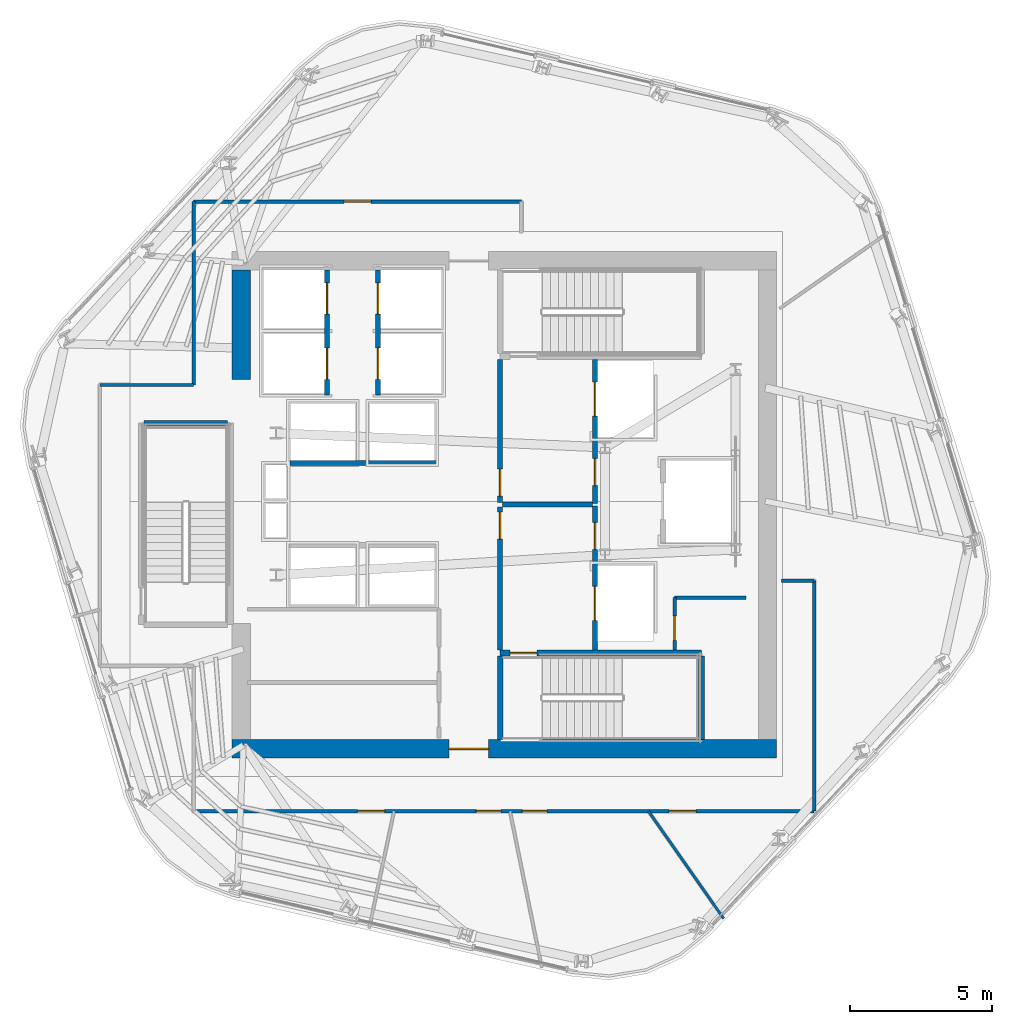
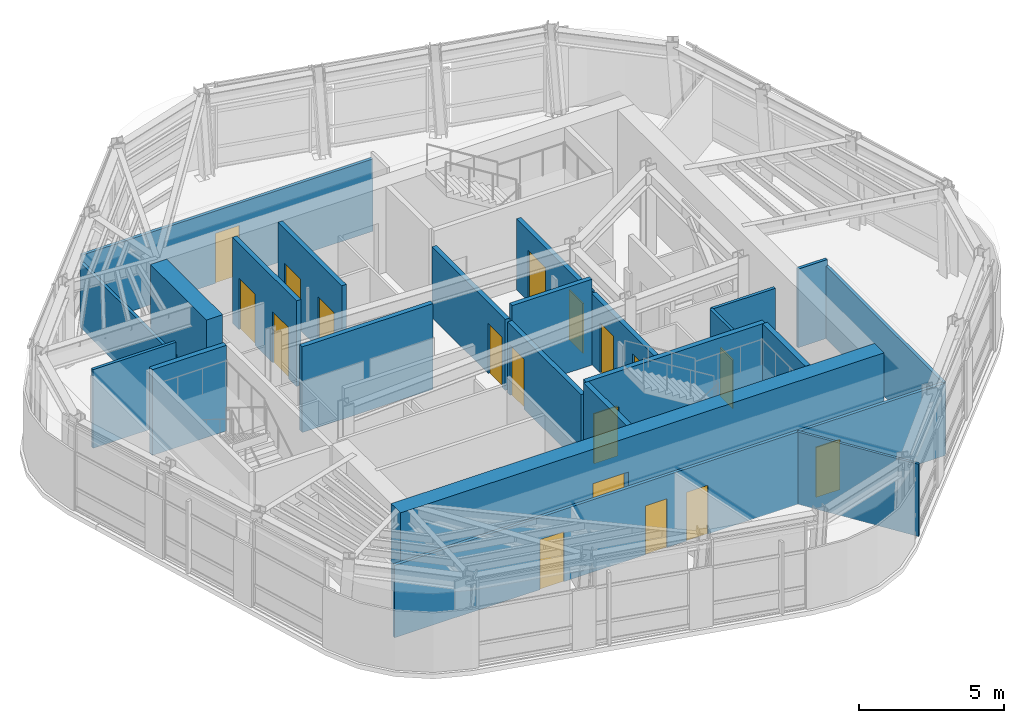
# One storey, part 7 of 13: 23 walls, 18 doors, 18 openings.
"""IFC4 building model written with IfcOpenShell, lengths in metres."""

from ifc_helpers import new_model, si_unit, direction, frame, frame_2d, origin, place, context, subcontext, project, spatial, rectangle, extrude, material, layer, layer_set, type_object, element, fill, save


model = new_model("IFC4")

# Units and contexts
model_context = context("Model", 3, precision=1e-05, world=origin(), true_north=direction((0.0, 1.0)))
body_context = subcontext(model_context, "Body", "Model", "MODEL_VIEW")
ifc_project = project(units=[si_unit("LENGTHUNIT", "METRE"), si_unit("AREAUNIT", "SQUARE_METRE"), si_unit("VOLUMEUNIT", "CUBIC_METRE"), si_unit("PLANEANGLEUNIT", "RADIAN"), si_unit("MASSUNIT", "GRAM", prefix="KILO")], contexts=[model_context])

# Site, building, storey
site_placement = place(None, origin())
site = spatial("IfcSite", under=ifc_project, at=site_placement, CompositionType="ELEMENT")
building_placement = place(site_placement, origin())
building = spatial("IfcBuilding", under=site, at=building_placement, Name="Valkerne Bourse Tower", CompositionType="ELEMENT")
storey_placement = place(building_placement, frame((0.0, 0.0, 224.60009765625)))
storey = spatial("IfcBuildingStorey", under=building, at=storey_placement, Name="L57", CompositionType="ELEMENT", Elevation=224.60009765625)

# Wall, opening, door
ifc_material_1 = material(Name="Concrete C55/67", Category="concrete")
ifc_layer_1 = layer(ifc_material_1, 0.64990234375)
ifc_layer_set_1 = layer_set([ifc_layer_1], Name="Concrete C55/67")
wall_type_1 = type_object("IfcWallType", Name="W-CORE-650", PredefinedType="SHEAR", material=ifc_layer_set_1)
wall_1_placement = place(storey_placement, frame((37.199951171875, 18.27490234375, 0.0), z_axis=(0.0, 0.0, 1.0), x_axis=(1.0, 0.0, 0.0)))
wall_1 = element("IfcWall", 1, at=wall_1_placement, inside=storey, type_object=wall_type_1, Name="L57 Core Shear Wall SOUTH", PredefinedType="SHEAR", context=body_context, shape_type="SweptSolid", body=[
    extrude(rectangle(XDim=19.199951171875, YDim=0.64990234375, at=frame_2d((9.60009765625, 0.0))), origin(), (0.0, 0.0, 1.0), 3.599853515625),
])
opening_1_placement = place(wall_1_placement, frame((7.64990234375, 0.0, 0.0)))
opening_1 = element("IfcOpeningElement", 2, at=opening_1_placement, cuts=wall_1, Name="Opening D-PL-1400", PredefinedType="OPENING", context=body_context, shape_type="SweptSolid", body=[
    extrude(rectangle(XDim=1.39990234375, YDim=2.14990234375, at=frame_2d((0.699951171875, 1.074951171875))), frame((0.0, 0.3349609375, 0.0), z_axis=(0.0, -1.0, 0.0), x_axis=(1.0, 0.0, 0.0)), (0.0, 0.0, 1.0), 0.669921875),
])
ifc_material_2 = material(Name="Galvanised Painted Steel", Category="steel")
door_type_1 = type_object("IfcDoorType", Name="DR-PLT-1400", OperationType="DOUBLE_DOOR_SINGLE_SWING", PredefinedType="DOOR", material=ifc_material_2)
door_1_placement = place(opening_1_placement, origin())
door_1 = element("IfcDoor", 3, at=door_1_placement, inside=storey, type_object=door_type_1, Name="L57 South Passenger Lift Hall Fire Door", OperationType="DOUBLE_DOOR_SINGLE_SWING", OverallHeight=2.14990234375, OverallWidth=1.39990234375, PredefinedType="DOOR", context=body_context, shape_type="SweptSolid", body=[
    extrude(rectangle(XDim=1.39990234375, YDim=2.14990234375, at=frame_2d((0.699951171875, 1.074951171875))), frame((0.0, 0.02490234375, 0.0), z_axis=(0.0, -1.0, 0.0), x_axis=(1.0, 0.0, 0.0)), (0.0, 0.0, 1.0), 0.050048828125),
])
fill(opening_1, door_1)

# Wall
wall_2_placement = place(storey_placement, frame((37.52490234375, 31.300048828125, 0.0), z_axis=(0.0, 0.0, 1.0), x_axis=(0.0, 1.0, 0.0)))
element("IfcWall", 4, at=wall_2_placement, inside=storey, type_object=wall_type_1, Name="L57 Core Shear Wall WEST-N", PredefinedType="SHEAR", context=body_context, shape_type="SweptSolid", body=[
    extrude(rectangle(XDim=3.849853515625, YDim=0.64990234375, at=frame_2d((1.9248046875, 0.0))), origin(), (0.0, 0.0, 1.0), 3.599853515625),
])

# Wall, opening, door
ifc_material_3 = material(Name="Gypsum Board Steel-Stud Partition", Category="steel")
ifc_layer_2 = layer(ifc_material_3, 0.117919921875)
ifc_layer_set_2 = layer_set([ifc_layer_2], Name="Gypsum Board Steel-Stud Partition")
wall_type_2 = type_object("IfcWallType", Name="W-CORR-140", PredefinedType="PARTITIONING", material=ifc_layer_set_2)
wall_3_placement = place(storey_placement, frame((52.800048828125, 21.75, 0.0), z_axis=(0.0, 0.0, 1.0), x_axis=(0.0, 1.0, 0.0)))
wall_3 = element("IfcWall", 5, at=wall_3_placement, inside=storey, type_object=wall_type_2, Name="L57 Core SE South-Bay West Wall", PredefinedType="PARTITIONING", context=body_context, shape_type="SweptSolid", body=[
    extrude(rectangle(XDim=1.85009765625, YDim=0.117919921875, at=frame_2d((0.925048828125, 0.0))), origin(), (0.0, 0.0, 1.0), 3.2998046875),
])
opening_2_placement = place(wall_3_placement, frame((0.35009765625, 0.0, 0.0)))
opening_2 = element("IfcOpeningElement", 6, at=opening_2_placement, cuts=wall_3, Name="Opening D-WC-900", PredefinedType="OPENING", context=body_context, shape_type="SweptSolid", body=[
    extrude(rectangle(XDim=0.860107421875, YDim=2.050048828125, at=frame_2d((0.43017578125, 1.02490234375))), frame((0.0, 0.06884765625, 0.0), z_axis=(0.0, -1.0, 0.0), x_axis=(1.0, 0.0, 0.0)), (0.0, 0.0, 1.0), 0.137939453125),
])
ifc_material_4 = material(Name="Architectural White Oak Timber", Category="wood")
door_type_2 = type_object("IfcDoorType", Name="DR-WC-900", OperationType="NOTDEFINED", PredefinedType="DOOR", material=ifc_material_4)
door_2_placement = place(opening_2_placement, origin())
door_2 = element("IfcDoor", 7, at=door_2_placement, inside=storey, type_object=door_type_2, Name="L57 Janitor Store Door", OperationType="SINGLE_SWING_LEFT", OverallHeight=2.050048828125, OverallWidth=0.860107421875, PredefinedType="DOOR", context=body_context, shape_type="SweptSolid", body=[
    extrude(rectangle(XDim=0.860107421875, YDim=2.050048828125, at=frame_2d((0.43017578125, 1.02490234375))), frame((0.0, 0.02490234375, 0.0), z_axis=(0.0, -1.0, 0.0), x_axis=(1.0, 0.0, 0.0)), (0.0, 0.0, 1.0), 0.050048828125),
])
fill(opening_2, door_2)

# Walls
wall_4_placement = place(storey_placement, frame((52.800048828125, 23.60009765625, 0.0), z_axis=(0.0, 0.0, 1.0), x_axis=(1.0, 0.0, 0.0)))
element("IfcWall", 8, at=wall_4_placement, inside=storey, type_object=wall_type_2, Name="L57 Core SE South-Bay North Wall", PredefinedType="PARTITIONING", context=body_context, shape_type="SweptSolid", body=[
    extrude(rectangle(XDim=2.52001953125, YDim=0.117919921875, at=frame_2d((1.260009765625, 0.0))), origin(), (0.0, 0.0, 1.0), 3.2998046875),
])
wall_5_placement = place(storey_placement, frame((32.550048828125, 31.10009765625, 0.0), z_axis=(0.0, 0.0, 1.0), x_axis=(1.0, 0.0, 0.0)))
element("IfcWall", 9, at=wall_5_placement, inside=storey, type_object=wall_type_2, Name="L57 Corridor Enclosure Wall", PredefinedType="PARTITIONING", context=body_context, shape_type="SweptSolid", body=[
    extrude(rectangle(XDim=3.300048828125, YDim=0.117919921875, at=frame_2d((1.64990234375, 0.0))), origin(), (0.0, 0.0, 1.0), 3.2998046875),
])
wall_6_placement = place(storey_placement, frame((35.85009765625, 31.10009765625, 0.0), z_axis=(0.0, 0.0, 1.0), x_axis=(0.0, 1.0, 0.0)))
element("IfcWall", 10, at=wall_6_placement, inside=storey, type_object=wall_type_2, Name="L57 Corridor Enclosure Wall", PredefinedType="PARTITIONING", context=body_context, shape_type="SweptSolid", body=[
    extrude(rectangle(XDim=6.4599609375, YDim=0.117919921875, at=frame_2d((3.22998046875, 0.0))), origin(), (0.0, 0.0, 1.0), 2.7314453125),
])

# Wall, opening, door
wall_7_placement = place(storey_placement, frame((35.85009765625, 37.56005859375, 0.0), z_axis=(0.0, 0.0, 1.0), x_axis=(1.0, 0.0, 0.0)))
wall_7 = element("IfcWall", 11, at=wall_7_placement, inside=storey, type_object=wall_type_2, Name="L57 Corridor Enclosure Wall", PredefinedType="PARTITIONING", context=body_context, shape_type="SweptSolid", body=[
    extrude(rectangle(XDim=11.5498046875, YDim=0.117919921875, at=frame_2d((5.77490234375, 0.0))), origin(), (0.0, 0.0, 1.0), 3.0361328125),
])
opening_3_placement = place(wall_7_placement, frame((5.300048828125, 0.0, 0.0)))
opening_3 = element("IfcOpeningElement", 12, at=opening_3_placement, cuts=wall_7, Name="Opening D-OF-950", PredefinedType="OPENING", context=body_context, shape_type="SweptSolid", body=[
    extrude(rectangle(XDim=0.949951171875, YDim=2.10009765625, at=frame_2d((0.47509765625, 1.050048828125))), frame((0.0, 0.06884765625, 0.0), z_axis=(0.0, -1.0, 0.0), x_axis=(1.0, 0.0, 0.0)), (0.0, 0.0, 1.0), 0.137939453125),
])
door_type_3 = type_object("IfcDoorType", Name="DR-OFF-950", OperationType="NOTDEFINED", PredefinedType="DOOR", material=ifc_material_4)
door_3_placement = place(opening_3_placement, origin())
door_3 = element("IfcDoor", 13, at=door_3_placement, inside=storey, type_object=door_type_3, Name="L57 L57 Hospitality Catering Kitchen 5 Door", OperationType="SINGLE_SWING_RIGHT", OverallHeight=2.10009765625, OverallWidth=0.949951171875, PredefinedType="DOOR", context=body_context, shape_type="SweptSolid", body=[
    extrude(rectangle(XDim=0.949951171875, YDim=2.10009765625, at=frame_2d((0.47509765625, 1.050048828125))), frame((0.0, 0.02490234375, 0.0), z_axis=(0.0, -1.0, 0.0), x_axis=(1.0, 0.0, 0.0)), (0.0, 0.0, 1.0), 0.050048828125),
])
fill(opening_3, door_3)

# Walls
wall_8_placement = place(storey_placement, frame((56.56005859375, 24.199951171875, 0.0), z_axis=(0.0, 0.0, 1.0), x_axis=(1.0, 0.0, 0.0)))
element("IfcWall", 14, at=wall_8_placement, inside=storey, type_object=wall_type_2, Name="L57 Corridor Enclosure Wall", PredefinedType="PARTITIONING", context=body_context, shape_type="SweptSolid", body=[
    extrude(rectangle(XDim=1.159912109375, YDim=0.117919921875, at=frame_2d((0.580078125, 0.0))), origin(), (0.0, 0.0, 1.0), 3.2998046875),
])
wall_9_placement = place(storey_placement, frame((57.719970703125, 24.199951171875, 0.0), z_axis=(0.0, 0.0, 1.0), x_axis=(0.0, -1.0, 0.0)))
element("IfcWall", 15, at=wall_9_placement, inside=storey, type_object=wall_type_2, Name="L57 Corridor Enclosure Wall", PredefinedType="PARTITIONING", context=body_context, shape_type="SweptSolid", body=[
    extrude(rectangle(XDim=8.119873046875, YDim=0.117919921875, at=frame_2d((4.06005859375, 0.0))), origin(), (0.0, 0.0, 1.0), 3.0361328125),
])

# Wall, openings, doors
wall_10_placement = place(storey_placement, frame((57.719970703125, 16.080078125, 0.0), z_axis=(0.0, 0.0, 1.0), x_axis=(-1.0, 0.0, 0.0)))
wall_10 = element("IfcWall", 16, at=wall_10_placement, inside=storey, type_object=wall_type_2, Name="L57 Corridor Enclosure Wall", PredefinedType="PARTITIONING", context=body_context, shape_type="SweptSolid", body=[
    extrude(rectangle(XDim=21.869873046875, YDim=0.117919921875, at=frame_2d((10.93505859375, 0.0))), origin(), (0.0, 0.0, 1.0), 3.0361328125),
])
opening_4_placement = place(wall_10_placement, frame((11.044921875, 0.0, 0.0)))
opening_4 = element("IfcOpeningElement", 17, at=opening_4_placement, cuts=wall_10, Name="Opening D-WC-900", PredefinedType="OPENING", context=body_context, shape_type="SweptSolid", body=[
    extrude(rectangle(XDim=0.860107421875, YDim=2.050048828125, at=frame_2d((0.43017578125, 1.02490234375))), frame((0.0, 0.06884765625, 0.0), z_axis=(0.0, -1.0, 0.0), x_axis=(1.0, 0.0, 0.0)), (0.0, 0.0, 1.0), 0.137939453125),
])
opening_5_placement = place(wall_10_placement, frame((9.425048828125, 0.0, 0.0)))
opening_5 = element("IfcOpeningElement", 18, at=opening_5_placement, cuts=wall_10, Name="Opening D-WC-900", PredefinedType="OPENING", context=body_context, shape_type="SweptSolid", body=[
    extrude(rectangle(XDim=0.860107421875, YDim=2.050048828125, at=frame_2d((0.43017578125, 1.02490234375))), frame((0.0, 0.06884765625, 0.0), z_axis=(0.0, -1.0, 0.0), x_axis=(1.0, 0.0, 0.0)), (0.0, 0.0, 1.0), 0.137939453125),
])
opening_6_placement = place(wall_10_placement, frame((15.139892578125, 0.0, 0.0)))
opening_6 = element("IfcOpeningElement", 19, at=opening_6_placement, cuts=wall_10, Name="Opening D-OF-950", PredefinedType="OPENING", context=body_context, shape_type="SweptSolid", body=[
    extrude(rectangle(XDim=0.949951171875, YDim=2.10009765625, at=frame_2d((0.47509765625, 1.050048828125))), frame((0.0, 0.06884765625, 0.0), z_axis=(0.0, -1.0, 0.0), x_axis=(1.0, 0.0, 0.0)), (0.0, 0.0, 1.0), 0.137939453125),
])
opening_7_placement = place(wall_10_placement, frame((4.159912109375, 0.0, 0.0)))
opening_7 = element("IfcOpeningElement", 20, at=opening_7_placement, cuts=wall_10, Name="Opening D-OF-950", PredefinedType="OPENING", context=body_context, shape_type="SweptSolid", body=[
    extrude(rectangle(XDim=0.949951171875, YDim=2.10009765625, at=frame_2d((0.47509765625, 1.050048828125))), frame((0.0, 0.06884765625, 0.0), z_axis=(0.0, -1.0, 0.0), x_axis=(1.0, 0.0, 0.0)), (0.0, 0.0, 1.0), 0.137939453125),
])
door_4_placement = place(opening_6_placement, origin())
door_4 = element("IfcDoor", 21, at=door_4_placement, inside=storey, type_object=door_type_3, Name="L57 L57 Occupational Wellness Clinic 3 Door", OperationType="SINGLE_SWING_LEFT", OverallHeight=2.10009765625, OverallWidth=0.949951171875, PredefinedType="DOOR", context=body_context, shape_type="SweptSolid", body=[
    extrude(rectangle(XDim=0.949951171875, YDim=2.10009765625, at=frame_2d((0.47509765625, 1.050048828125))), frame((0.0, 0.02490234375, 0.0), z_axis=(0.0, -1.0, 0.0), x_axis=(1.0, 0.0, 0.0)), (0.0, 0.0, 1.0), 0.050048828125),
])
fill(opening_6, door_4)
door_5_placement = place(opening_7_placement, origin())
door_5 = element("IfcDoor", 22, at=door_5_placement, inside=storey, type_object=door_type_3, Name="L57 L57 Occupational Wellness Clinic 4 Door", OperationType="SINGLE_SWING_RIGHT", OverallHeight=2.10009765625, OverallWidth=0.949951171875, PredefinedType="DOOR", context=body_context, shape_type="SweptSolid", body=[
    extrude(rectangle(XDim=0.949951171875, YDim=2.10009765625, at=frame_2d((0.47509765625, 1.050048828125))), frame((0.0, 0.02490234375, 0.0), z_axis=(0.0, -1.0, 0.0), x_axis=(1.0, 0.0, 0.0)), (0.0, 0.0, 1.0), 0.050048828125),
])
fill(opening_7, door_5)
door_6_placement = place(opening_4_placement, origin())
door_6 = element("IfcDoor", 23, at=door_6_placement, inside=storey, type_object=door_type_2, Name="L57 L57 Men Bathroom WC 1 Door", OperationType="SINGLE_SWING_LEFT", OverallHeight=2.050048828125, OverallWidth=0.860107421875, PredefinedType="DOOR", context=body_context, shape_type="SweptSolid", body=[
    extrude(rectangle(XDim=0.860107421875, YDim=2.050048828125, at=frame_2d((0.43017578125, 1.02490234375))), frame((0.0, 0.02490234375, 0.0), z_axis=(0.0, -1.0, 0.0), x_axis=(1.0, 0.0, 0.0)), (0.0, 0.0, 1.0), 0.050048828125),
])
fill(opening_4, door_6)
door_7_placement = place(opening_5_placement, origin())
door_7 = element("IfcDoor", 24, at=door_7_placement, inside=storey, type_object=door_type_2, Name="L57 L57 Women Restroom & Shower WC 2 Door", OperationType="SINGLE_SWING_LEFT", OverallHeight=2.050048828125, OverallWidth=0.860107421875, PredefinedType="DOOR", context=body_context, shape_type="SweptSolid", body=[
    extrude(rectangle(XDim=0.860107421875, YDim=2.050048828125, at=frame_2d((0.43017578125, 1.02490234375))), frame((0.0, 0.02490234375, 0.0), z_axis=(0.0, -1.0, 0.0), x_axis=(1.0, 0.0, 0.0)), (0.0, 0.0, 1.0), 0.050048828125),
])
fill(opening_5, door_7)

# Wall
ifc_material_5 = material(Name="Gypsum Fire-Rated Shaftwall", Category="gypsum")
ifc_layer_3 = layer(ifc_material_5, 0.179931640625)
ifc_layer_set_3 = layer_set([ifc_layer_3], Name="Gypsum Fire-Rated Shaftwall")
wall_type_3 = type_object("IfcWallType", Name="W-FSAE-180", PredefinedType="PARTITIONING", material=ifc_layer_set_3)
wall_11_placement = place(storey_placement, frame((46.739990234375, 26.8798828125, 0.0), z_axis=(0.0, 0.0, 1.0), x_axis=(1.0, 0.0, 0.0)))
element("IfcWall", 25, at=wall_11_placement, inside=storey, type_object=wall_type_3, Name="L57 FSAE-1/2 Lobby Dividing Fire Wall", PredefinedType="PARTITIONING", context=body_context, shape_type="SweptSolid", body=[
    extrude(rectangle(XDim=3.169921875, YDim=0.179931640625, at=frame_2d((1.5849609375, 0.0))), origin(), (0.0, 0.0, 1.0), 3.599853515625),
])

# Wall, opening, door
wall_12_placement = place(storey_placement, frame((46.64990234375, 21.75, 0.0), z_axis=(0.0, 0.0, 1.0), x_axis=(0.0, 1.0, 0.0)))
wall_12 = element("IfcWall", 26, at=wall_12_placement, inside=storey, type_object=wall_type_3, Name="L57 FSAE-1 Lobby West Fire Wall", PredefinedType="PARTITIONING", context=body_context, shape_type="SweptSolid", body=[
    extrude(rectangle(XDim=5.050048828125, YDim=0.179931640625, at=frame_2d((2.52490234375, 0.0))), origin(), (0.0, 0.0, 1.0), 2.977783203125),
])
opening_8_placement = place(wall_12_placement, frame((3.919921875, 0.0, 0.0)))
opening_8 = element("IfcOpeningElement", 27, at=opening_8_placement, cuts=wall_12, Name="Opening D-FS-950", PredefinedType="OPENING", context=body_context, shape_type="SweptSolid", body=[
    extrude(rectangle(XDim=0.949951171875, YDim=2.10009765625, at=frame_2d((0.47509765625, 1.050048828125))), frame((0.0, 0.099853515625, 0.0), z_axis=(0.0, -1.0, 0.0), x_axis=(1.0, 0.0, 0.0)), (0.0, 0.0, 1.0), 0.199951171875),
])
door_type_4 = type_object("IfcDoorType", Name="DR-FSAE-950", OperationType="NOTDEFINED", PredefinedType="DOOR", material=ifc_material_2)
door_8_placement = place(opening_8_placement, origin())
door_8 = element("IfcDoor", 28, at=door_8_placement, inside=storey, type_object=door_type_4, Name="L57 FSAE-1 Hall Link Fire Door", OperationType="SINGLE_SWING_RIGHT", OverallHeight=2.10009765625, OverallWidth=0.949951171875, PredefinedType="DOOR", context=body_context, shape_type="SweptSolid", body=[
    extrude(rectangle(XDim=0.949951171875, YDim=2.10009765625, at=frame_2d((0.47509765625, 1.050048828125))), frame((0.0, 0.02490234375, 0.0), z_axis=(0.0, -1.0, 0.0), x_axis=(1.0, 0.0, 0.0)), (0.0, 0.0, 1.0), 0.050048828125),
])
fill(opening_8, door_8)

wall_13_placement = place(storey_placement, frame((46.64990234375, 26.9599609375, 0.0), z_axis=(0.0, 0.0, 1.0), x_axis=(0.0, 1.0, 0.0)))
wall_13 = element("IfcWall", 29, at=wall_13_placement, inside=storey, type_object=wall_type_3, Name="L57 FSAE-2 Lobby West Fire Wall", PredefinedType="PARTITIONING", context=body_context, shape_type="SweptSolid", body=[
    extrude(rectangle(XDim=5.0400390625, YDim=0.179931640625, at=frame_2d((2.52001953125, 0.0))), origin(), (0.0, 0.0, 1.0), 2.977783203125),
])
opening_9_placement = place(wall_13_placement, frame((0.219970703125, 0.0, 0.0)))
opening_9 = element("IfcOpeningElement", 30, at=opening_9_placement, cuts=wall_13, Name="Opening D-FS-950", PredefinedType="OPENING", context=body_context, shape_type="SweptSolid", body=[
    extrude(rectangle(XDim=0.949951171875, YDim=2.10009765625, at=frame_2d((0.47509765625, 1.050048828125))), frame((0.0, 0.099853515625, 0.0), z_axis=(0.0, -1.0, 0.0), x_axis=(1.0, 0.0, 0.0)), (0.0, 0.0, 1.0), 0.199951171875),
])
door_9_placement = place(opening_9_placement, origin())
door_9 = element("IfcDoor", 31, at=door_9_placement, inside=storey, type_object=door_type_4, Name="L57 FSAE-2 Hall Link Fire Door", OperationType="SINGLE_SWING_RIGHT", OverallHeight=2.10009765625, OverallWidth=0.949951171875, PredefinedType="DOOR", context=body_context, shape_type="SweptSolid", body=[
    extrude(rectangle(XDim=0.949951171875, YDim=2.10009765625, at=frame_2d((0.47509765625, 1.050048828125))), frame((0.0, 0.02490234375, 0.0), z_axis=(0.0, -1.0, 0.0), x_axis=(1.0, 0.0, 0.0)), (0.0, 0.0, 1.0), 0.050048828125),
])
fill(opening_9, door_9)

# Wall, openings, doors
wall_14_placement = place(storey_placement, frame((50.0, 21.75, 0.0), z_axis=(0.0, 0.0, 1.0), x_axis=(0.0, 1.0, 0.0)))
wall_14 = element("IfcWall", 32, at=wall_14_placement, inside=storey, type_object=wall_type_3, Name="L57 FSAE-1 Lobby & Shaft Front Wall", PredefinedType="PARTITIONING", context=body_context, shape_type="SweptSolid", body=[
    extrude(rectangle(XDim=5.090087890625, YDim=0.179931640625, at=frame_2d((2.544921875, 0.0))), origin(), (0.0, 0.0, 1.0), 2.977783203125),
])
opening_10_placement = place(wall_14_placement, frame((1.050048828125, 0.0, 0.0)))
opening_10 = element("IfcOpeningElement", 33, at=opening_10_placement, cuts=wall_14, Name="Opening LD-1200", PredefinedType="OPENING", context=body_context, shape_type="SweptSolid", body=[
    extrude(rectangle(XDim=1.199951171875, YDim=2.14990234375, at=frame_2d((0.60009765625, 1.074951171875))), frame((0.0, 0.099853515625, 0.0), z_axis=(0.0, -1.0, 0.0), x_axis=(1.0, 0.0, 0.0)), (0.0, 0.0, 1.0), 0.199951171875),
])
opening_11_placement = place(wall_14_placement, frame((3.550048828125, 0.0, 0.0)))
opening_11 = element("IfcOpeningElement", 34, at=opening_11_placement, cuts=wall_14, Name="Opening D-FS-950", PredefinedType="OPENING", context=body_context, shape_type="SweptSolid", body=[
    extrude(rectangle(XDim=0.949951171875, YDim=2.10009765625, at=frame_2d((0.47509765625, 1.050048828125))), frame((0.0, 0.099853515625, 0.0), z_axis=(0.0, -1.0, 0.0), x_axis=(1.0, 0.0, 0.0)), (0.0, 0.0, 1.0), 0.199951171875),
])
door_10_placement = place(opening_11_placement, origin())
door_10 = element("IfcDoor", 35, at=door_10_placement, inside=storey, type_object=door_type_4, Name="L57 FSAE-1 Lobby Corridor Fire Door", OperationType="SINGLE_SWING_RIGHT", OverallHeight=2.10009765625, OverallWidth=0.949951171875, PredefinedType="DOOR", context=body_context, shape_type="SweptSolid", body=[
    extrude(rectangle(XDim=0.949951171875, YDim=2.10009765625, at=frame_2d((0.47509765625, 1.050048828125))), frame((0.0, 0.02490234375, 0.0), z_axis=(0.0, -1.0, 0.0), x_axis=(1.0, 0.0, 0.0)), (0.0, 0.0, 1.0), 0.050048828125),
])
fill(opening_11, door_10)
ifc_material_6 = material(Name="Stainless Steel AISI 316", Category="steel")
door_type_5 = type_object("IfcDoorType", Name="DR-LIFT-1200", OperationType="DOUBLE_DOOR_SLIDING", PredefinedType="DOOR", material=ifc_material_6)
door_11_placement = place(opening_10_placement, origin())
door_11 = element("IfcDoor", 36, at=door_11_placement, inside=storey, type_object=door_type_5, Name="L57 FSAE-1 Firefighting Lift Landing Door", OperationType="DOUBLE_DOOR_SLIDING", OverallHeight=2.14990234375, OverallWidth=1.199951171875, PredefinedType="DOOR", context=body_context, shape_type="SweptSolid", body=[
    extrude(rectangle(XDim=1.199951171875, YDim=2.14990234375, at=frame_2d((0.60009765625, 1.074951171875))), frame((0.0, 0.02490234375, 0.0), z_axis=(0.0, -1.0, 0.0), x_axis=(1.0, 0.0, 0.0)), (0.0, 0.0, 1.0), 0.050048828125),
])
fill(opening_10, door_11)

wall_15_placement = place(storey_placement, frame((50.0, 26.919921875, 0.0), z_axis=(0.0, 0.0, 1.0), x_axis=(0.0, 1.0, 0.0)))
wall_15 = element("IfcWall", 37, at=wall_15_placement, inside=storey, type_object=wall_type_3, Name="L57 FSAE-2 Lobby & Shaft Front Wall", PredefinedType="PARTITIONING", context=body_context, shape_type="SweptSolid", body=[
    extrude(rectangle(XDim=5.080078125, YDim=0.179931640625, at=frame_2d((2.5400390625, 0.0))), origin(), (0.0, 0.0, 1.0), 2.977783203125),
])
opening_12_placement = place(wall_15_placement, frame((3.080078125, 0.0, 0.0)))
opening_12 = element("IfcOpeningElement", 38, at=opening_12_placement, cuts=wall_15, Name="Opening LD-1200", PredefinedType="OPENING", context=body_context, shape_type="SweptSolid", body=[
    extrude(rectangle(XDim=1.199951171875, YDim=2.14990234375, at=frame_2d((0.60009765625, 1.074951171875))), frame((0.0, 0.099853515625, 0.0), z_axis=(0.0, -1.0, 0.0), x_axis=(1.0, 0.0, 0.0)), (0.0, 0.0, 1.0), 0.199951171875),
])
opening_13_placement = place(wall_15_placement, frame((0.6298828125, 0.0, 0.0)))
opening_13 = element("IfcOpeningElement", 39, at=opening_13_placement, cuts=wall_15, Name="Opening D-FS-950", PredefinedType="OPENING", context=body_context, shape_type="SweptSolid", body=[
    extrude(rectangle(XDim=0.949951171875, YDim=2.10009765625, at=frame_2d((0.47509765625, 1.050048828125))), frame((0.0, 0.099853515625, 0.0), z_axis=(0.0, -1.0, 0.0), x_axis=(1.0, 0.0, 0.0)), (0.0, 0.0, 1.0), 0.199951171875),
])
door_12_placement = place(opening_13_placement, origin())
door_12 = element("IfcDoor", 40, at=door_12_placement, inside=storey, type_object=door_type_4, Name="L57 FSAE-2 Lobby Corridor Fire Door", OperationType="SINGLE_SWING_LEFT", OverallHeight=2.10009765625, OverallWidth=0.949951171875, PredefinedType="DOOR", context=body_context, shape_type="SweptSolid", body=[
    extrude(rectangle(XDim=0.949951171875, YDim=2.10009765625, at=frame_2d((0.47509765625, 1.050048828125))), frame((0.0, 0.02490234375, 0.0), z_axis=(0.0, -1.0, 0.0), x_axis=(1.0, 0.0, 0.0)), (0.0, 0.0, 1.0), 0.050048828125),
])
fill(opening_13, door_12)
door_13_placement = place(opening_12_placement, origin())
door_13 = element("IfcDoor", 41, at=door_13_placement, inside=storey, type_object=door_type_5, Name="L57 FSAE-2 Firefighting Lift Landing Door", OperationType="DOUBLE_DOOR_SLIDING", OverallHeight=2.14990234375, OverallWidth=1.199951171875, PredefinedType="DOOR", context=body_context, shape_type="SweptSolid", body=[
    extrude(rectangle(XDim=1.199951171875, YDim=2.14990234375, at=frame_2d((0.60009765625, 1.074951171875))), frame((0.0, 0.02490234375, 0.0), z_axis=(0.0, -1.0, 0.0), x_axis=(1.0, 0.0, 0.0)), (0.0, 0.0, 1.0), 0.050048828125),
])
fill(opening_12, door_13)

ifc_material_7 = material(Name="CMU Blockwork Masonry 200mm", Category="masonry")
ifc_layer_4 = layer(ifc_material_7, 0.179931640625)
ifc_layer_set_4 = layer_set([ifc_layer_4], Name="CMU Blockwork Masonry 200mm")
wall_type_4 = type_object("IfcWallType", Name="W-LFT-180", PredefinedType="SOLIDWALL", material=ifc_layer_set_4)
wall_16_placement = place(storey_placement, frame((40.550048828125, 30.75, 0.0), z_axis=(0.0, 0.0, 1.0), x_axis=(0.0, 1.0, 0.0)))
wall_16 = element("IfcWall", 42, at=wall_16_placement, inside=storey, type_object=wall_type_4, Name="L57 Mid-Zone West Cars Front Wall", PredefinedType="SOLIDWALL", context=body_context, shape_type="SweptSolid", body=[
    extrude(rectangle(XDim=4.39990234375, YDim=0.179931640625, at=frame_2d((2.199951171875, 0.0))), origin(), (0.0, 0.0, 1.0), 3.599853515625),
])
opening_14_placement = place(wall_16_placement, frame((0.550048828125, 0.0, 0.0)))
opening_14 = element("IfcOpeningElement", 43, at=opening_14_placement, cuts=wall_16, Name="Opening LD-1100", PredefinedType="OPENING", context=body_context, shape_type="SweptSolid", body=[
    extrude(rectangle(XDim=1.10009765625, YDim=2.14990234375, at=frame_2d((0.550048828125, 1.074951171875))), frame((0.0, 0.099853515625, 0.0), z_axis=(0.0, -1.0, 0.0), x_axis=(1.0, 0.0, 0.0)), (0.0, 0.0, 1.0), 0.199951171875),
])
opening_15_placement = place(wall_16_placement, frame((2.85009765625, 0.0, 0.0)))
opening_15 = element("IfcOpeningElement", 44, at=opening_15_placement, cuts=wall_16, Name="Opening LD-1100", PredefinedType="OPENING", context=body_context, shape_type="SweptSolid", body=[
    extrude(rectangle(XDim=1.10009765625, YDim=2.14990234375, at=frame_2d((0.550048828125, 1.074951171875))), frame((0.0, 0.099853515625, 0.0), z_axis=(0.0, -1.0, 0.0), x_axis=(1.0, 0.0, 0.0)), (0.0, 0.0, 1.0), 0.199951171875),
])
door_type_6 = type_object("IfcDoorType", Name="DR-LIFT-1100", OperationType="DOUBLE_DOOR_SLIDING", PredefinedType="DOOR", material=ifc_material_6)
door_14_placement = place(opening_14_placement, origin())
door_14 = element("IfcDoor", 45, at=door_14_placement, inside=storey, type_object=door_type_6, Name="L57 Passenger Lift PL-M1 Sliding Landing Door", OperationType="DOUBLE_DOOR_SLIDING", OverallHeight=2.14990234375, OverallWidth=1.10009765625, PredefinedType="DOOR", context=body_context, shape_type="SweptSolid", body=[
    extrude(rectangle(XDim=1.10009765625, YDim=2.14990234375, at=frame_2d((0.550048828125, 1.074951171875))), frame((0.0, 0.02490234375, 0.0), z_axis=(0.0, -1.0, 0.0), x_axis=(1.0, 0.0, 0.0)), (0.0, 0.0, 1.0), 0.050048828125),
])
fill(opening_14, door_14)
door_15_placement = place(opening_15_placement, origin())
door_15 = element("IfcDoor", 46, at=door_15_placement, inside=storey, type_object=door_type_6, Name="L57 Passenger Lift PL-M2 Sliding Landing Door", OperationType="DOUBLE_DOOR_SLIDING", OverallHeight=2.14990234375, OverallWidth=1.10009765625, PredefinedType="DOOR", context=body_context, shape_type="SweptSolid", body=[
    extrude(rectangle(XDim=1.10009765625, YDim=2.14990234375, at=frame_2d((0.550048828125, 1.074951171875))), frame((0.0, 0.02490234375, 0.0), z_axis=(0.0, -1.0, 0.0), x_axis=(1.0, 0.0, 0.0)), (0.0, 0.0, 1.0), 0.050048828125),
])
fill(opening_15, door_15)

wall_17_placement = place(storey_placement, frame((42.35009765625, 30.75, 0.0), z_axis=(0.0, 0.0, 1.0), x_axis=(0.0, 1.0, 0.0)))
wall_17 = element("IfcWall", 47, at=wall_17_placement, inside=storey, type_object=wall_type_4, Name="L57 Mid-Zone East Cars Front Wall", PredefinedType="SOLIDWALL", context=body_context, shape_type="SweptSolid", body=[
    extrude(rectangle(XDim=4.39990234375, YDim=0.179931640625, at=frame_2d((2.199951171875, 0.0))), origin(), (0.0, 0.0, 1.0), 3.599853515625),
])
opening_16_placement = place(wall_17_placement, frame((0.550048828125, 0.0, 0.0)))
opening_16 = element("IfcOpeningElement", 48, at=opening_16_placement, cuts=wall_17, Name="Opening LD-1100", PredefinedType="OPENING", context=body_context, shape_type="SweptSolid", body=[
    extrude(rectangle(XDim=1.10009765625, YDim=2.14990234375, at=frame_2d((0.550048828125, 1.074951171875))), frame((0.0, 0.099853515625, 0.0), z_axis=(0.0, -1.0, 0.0), x_axis=(1.0, 0.0, 0.0)), (0.0, 0.0, 1.0), 0.199951171875),
])
opening_17_placement = place(wall_17_placement, frame((2.85009765625, 0.0, 0.0)))
opening_17 = element("IfcOpeningElement", 49, at=opening_17_placement, cuts=wall_17, Name="Opening LD-1100", PredefinedType="OPENING", context=body_context, shape_type="SweptSolid", body=[
    extrude(rectangle(XDim=1.10009765625, YDim=2.14990234375, at=frame_2d((0.550048828125, 1.074951171875))), frame((0.0, 0.099853515625, 0.0), z_axis=(0.0, -1.0, 0.0), x_axis=(1.0, 0.0, 0.0)), (0.0, 0.0, 1.0), 0.199951171875),
])
door_16_placement = place(opening_16_placement, origin())
door_16 = element("IfcDoor", 50, at=door_16_placement, inside=storey, type_object=door_type_6, Name="L57 Passenger Lift PL-M3 Sliding Landing Door", OperationType="DOUBLE_DOOR_SLIDING", OverallHeight=2.14990234375, OverallWidth=1.10009765625, PredefinedType="DOOR", context=body_context, shape_type="SweptSolid", body=[
    extrude(rectangle(XDim=1.10009765625, YDim=2.14990234375, at=frame_2d((0.550048828125, 1.074951171875))), frame((0.0, 0.02490234375, 0.0), z_axis=(0.0, -1.0, 0.0), x_axis=(1.0, 0.0, 0.0)), (0.0, 0.0, 1.0), 0.050048828125),
])
fill(opening_16, door_16)
door_17_placement = place(opening_17_placement, origin())
door_17 = element("IfcDoor", 51, at=door_17_placement, inside=storey, type_object=door_type_6, Name="L57 Passenger Lift PL-M4 Sliding Landing Door", OperationType="DOUBLE_DOOR_SLIDING", OverallHeight=2.14990234375, OverallWidth=1.10009765625, PredefinedType="DOOR", context=body_context, shape_type="SweptSolid", body=[
    extrude(rectangle(XDim=1.10009765625, YDim=2.14990234375, at=frame_2d((0.550048828125, 1.074951171875))), frame((0.0, 0.02490234375, 0.0), z_axis=(0.0, -1.0, 0.0), x_axis=(1.0, 0.0, 0.0)), (0.0, 0.0, 1.0), 0.050048828125),
])
fill(opening_17, door_17)

# Walls
wall_18_placement = place(storey_placement, frame((39.25, 28.35009765625, 0.0), z_axis=(0.0, 0.0, 1.0), x_axis=(1.0, 0.0, 0.0)))
element("IfcWall", 52, at=wall_18_placement, inside=storey, type_object=wall_type_4, Name="L57 High-Zone North Cars Front Wall", PredefinedType="SOLIDWALL", context=body_context, shape_type="SweptSolid", body=[
    extrude(rectangle(XDim=5.199951171875, YDim=0.179931640625, at=frame_2d((2.60009765625, 0.0))), origin(), (0.0, 0.0, 1.0), 3.599853515625),
])
ifc_layer_5 = layer(ifc_material_3, 0.092041015625)
ifc_layer_set_5 = layer_set([ifc_layer_5], Name="Gypsum Board Steel-Stud Partition")
wall_type_5 = type_object("IfcWallType", Name="W-PART-115", PredefinedType="PARTITIONING", material=ifc_layer_set_5)
wall_19_placement = place(storey_placement, frame((51.87939453125, 16.074951171875, 0.0), z_axis=(0.0, 0.0, 1.0), x_axis=(0.573611549655, -0.819127456567, 0.0)))
element("IfcWall", 53, at=wall_19_placement, inside=storey, type_object=wall_type_5, Name="L57 Suite Partition P03", PredefinedType="PARTITIONING", context=body_context, shape_type="SweptSolid", body=[
    extrude(rectangle(XDim=4.612060546875, YDim=0.092041015625, at=frame_2d((2.30615234375, 0.0))), origin(), (0.0, 0.0, 1.0), 3.0361328125),
])

# Wall, opening, door
ifc_material_8 = material(Name="Concrete C40/50", Category="concrete")
ifc_layer_6 = layer(ifc_material_8, 0.199951171875)
ifc_layer_set_6 = layer_set([ifc_layer_6], Name="Concrete C40/50")
wall_type_6 = type_object("IfcWallType", Name="W-SHF-200", PredefinedType="SHEAR", material=ifc_layer_set_6)
wall_20_placement = place(storey_placement, frame((46.64990234375, 21.64990234375, 0.0), z_axis=(0.0, 0.0, 1.0), x_axis=(1.0, 0.0, 0.0)))
wall_20 = element("IfcWall", 54, at=wall_20_placement, inside=storey, type_object=wall_type_6, Name="L57 Exit Stair ST-1 Structural Shaft Wall North", PredefinedType="SHEAR", context=body_context, shape_type="SweptSolid", body=[
    extrude(rectangle(XDim=7.10009765625, YDim=0.199951171875, at=frame_2d((3.550048828125, 0.0))), origin(), (0.0, 0.0, 1.0), 3.599853515625),
])
opening_18_placement = place(wall_20_placement, frame((0.35009765625, 0.0, 0.0)))
opening_18 = element("IfcOpeningElement", 55, at=opening_18_placement, cuts=wall_20, Name="Opening D-ST-950", PredefinedType="OPENING", context=body_context, shape_type="SweptSolid", body=[
    extrude(rectangle(XDim=0.949951171875, YDim=2.10009765625, at=frame_2d((0.47509765625, 1.050048828125))), frame((0.0, 0.10986328125, 0.0), z_axis=(0.0, -1.0, 0.0), x_axis=(1.0, 0.0, 0.0)), (0.0, 0.0, 1.0), 0.219970703125),
])
door_type_7 = type_object("IfcDoorType", Name="DR-STAIR-950", OperationType="NOTDEFINED", PredefinedType="DOOR", material=ifc_material_2)
door_18_placement = place(opening_18_placement, origin())
door_18 = element("IfcDoor", 56, at=door_18_placement, inside=storey, type_object=door_type_7, Name="L57 Exit Stair ST-1 Door", OperationType="SINGLE_SWING_RIGHT", OverallHeight=2.10009765625, OverallWidth=0.949951171875, PredefinedType="DOOR", context=body_context, shape_type="SweptSolid", body=[
    extrude(rectangle(XDim=0.949951171875, YDim=2.10009765625, at=frame_2d((0.47509765625, 1.050048828125))), frame((0.0, 0.02490234375, 0.0), z_axis=(0.0, -1.0, 0.0), x_axis=(1.0, 0.0, 0.0)), (0.0, 0.0, 1.0), 0.050048828125),
])
fill(opening_18, door_18)

# Walls
for number, where, z_axis, x_axis, name in (
    (57, (46.64990234375, 18.60009765625, 0.0), (0.0, 0.0, 1.0), (0.0, 1.0, 0.0), "L57 Exit Stair ST-1 Structural Shaft Wall West"),
    (58, (53.75, 18.60009765625, 0.0), (0.0, 0.0, 1.0), (0.0, 1.0, 0.0), "L57 Exit Stair ST-1 Structural Shaft Wall East"),
    (59, (34.10009765625, 29.75, 0.0), (0.0, 0.0, 1.0), (1.0, 0.0, 0.0), "L57 Exit Stair ST-3 Structural Shaft Wall North"),
):
    element("IfcWall", number, at=place(storey_placement, frame(where, z_axis=z_axis, x_axis=x_axis)), inside=storey, type_object=wall_type_6, Name=name, PredefinedType="SHEAR", context=body_context, shape_type="SweptSolid", body=[
        extrude(rectangle(XDim=2.949951171875, YDim=0.199951171875, at=frame_2d((1.47509765625, 0.0))), origin(), (0.0, 0.0, 1.0), 3.599853515625),
    ])

save(model, "model.ifc")
